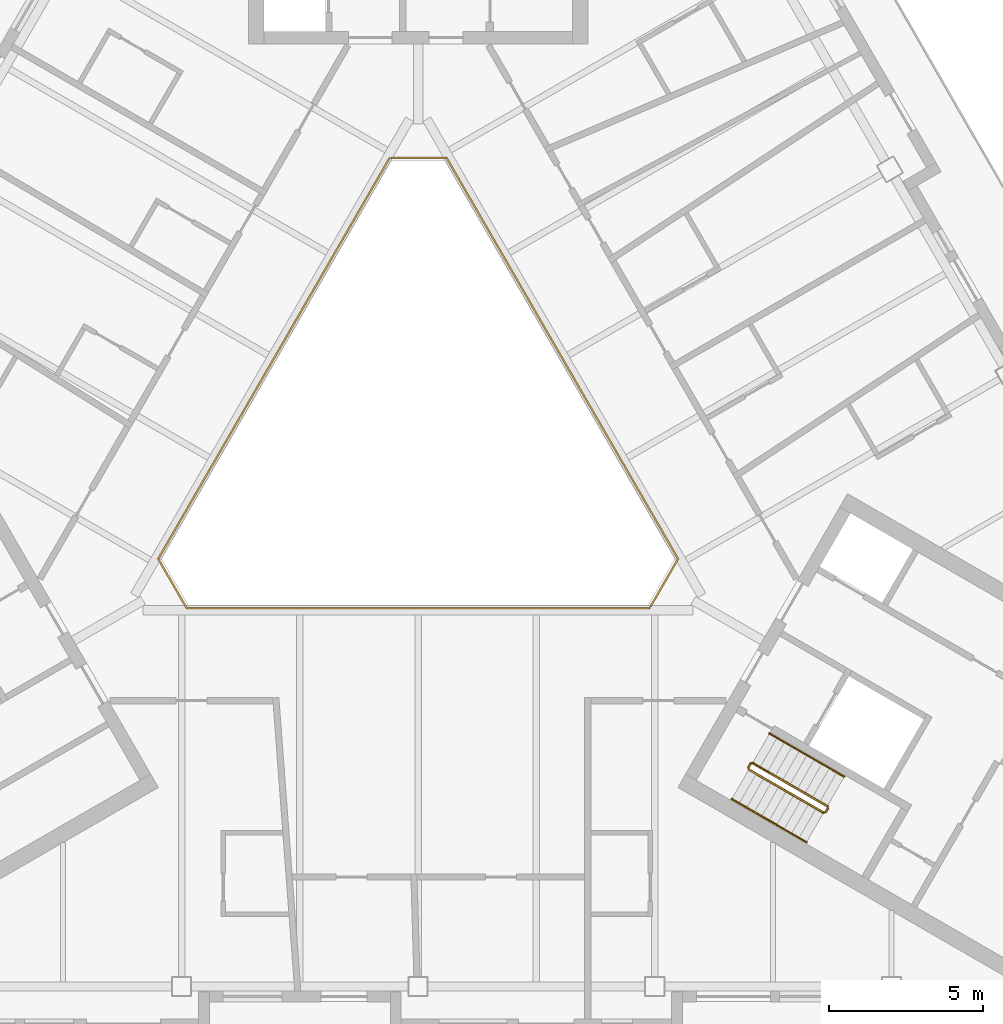
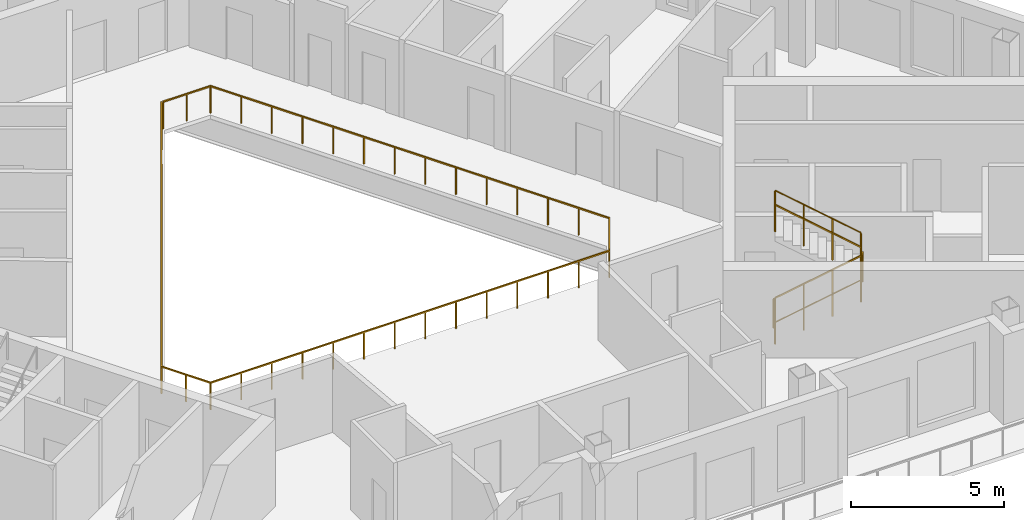
# One storey, part 12 of 14: 8 railings.
"""IFC4 building model written with IfcOpenShell, lengths in metres."""

import ifcopenshell
import ifcopenshell.guid

model = None  # the IFC model being written
_history = None  # IfcOwnerHistory: only IFC2X3 demands one
_inside = {}  # id of a spatial element -> (the spatial element, [elements in it])
_under = {}  # id of a project, library or spatial element -> (it, [spatial elements below it])
_declared = {}  # id of a project -> (the project, [libraries it declares])
_typed = {}  # id of a type object -> (the type object, [elements of that type])
_made_of = {}  # id of a material, layer set ... -> (it, [elements and type objects made of it])


def new_model(schema):
    """Start an empty IFC model of exactly this schema.

    Asked for "IFC4X3", IfcOpenShell would pick the latest addendum, in which some entities
    have other attributes; the version numbers below select the first issue.
    IFC2X3 requires an IfcOwnerHistory on every rooted entity: one is made here for all.
    """
    global model, _history
    if schema == "IFC4X3":
        model = ifcopenshell.file(schema_version=(4, 3, 0, 0))
    else:
        model = ifcopenshell.file(schema=schema)
    _inside.clear()
    _under.clear()
    _declared.clear()
    _typed.clear()
    _made_of.clear()
    _history = None
    if model.schema == "IFC2X3":
        org = make("IfcOrganization", Name="unknown")
        user = make(
            "IfcPersonAndOrganization",
            ThePerson=make("IfcPerson", FamilyName="unknown"),
            TheOrganization=org,
        )
        app = make(
            "IfcApplication",
            ApplicationDeveloper=org,
            Version="unknown",
            ApplicationFullName="unknown",
            ApplicationIdentifier="unknown",
        )
        _history = make(
            "IfcOwnerHistory",
            OwningUser=user,
            OwningApplication=app,
            ChangeAction="ADDED",
            CreationDate=0,
        )
    return model


def make(cls, **values):
    """One entity of the class cls with the attributes given. An attribute that is None is left unset."""
    return model.create_entity(
        cls, **{name: value for name, value in values.items() if value is not None}
    )


def rooted(cls, **values):
    """An entity with a GlobalId (a new one), such as an element, a storey or a relation."""
    return make(cls, GlobalId=ifcopenshell.guid.new(), OwnerHistory=_history, **values)


def si_unit(unit_type, name, prefix=None):
    """IfcSIUnit, for example si_unit("LENGTHUNIT", "METRE", prefix="MILLI")."""
    return make("IfcSIUnit", UnitType=unit_type, Prefix=prefix, Name=name)


def assignment(units):
    """IfcUnitAssignment: the units of a project."""
    return None if units is None else make("IfcUnitAssignment", Units=units)


def point(xyz):
    """IfcCartesianPoint."""
    return None if xyz is None else make("IfcCartesianPoint", Coordinates=xyz)


def direction(xyz):
    """IfcDirection."""
    return None if xyz is None else make("IfcDirection", DirectionRatios=xyz)


def frame(location, z_axis=None, x_axis=None):
    """IfcAxis2Placement3D, a coordinate frame: its origin and axes. An axis left out is left unset."""
    return make(
        "IfcAxis2Placement3D",
        Location=point(location),
        Axis=direction(z_axis),
        RefDirection=direction(x_axis),
    )


def frame_2d(location, x_axis=None):
    """IfcAxis2Placement2D, a coordinate frame in the plane: its origin and x axis."""
    return make(
        "IfcAxis2Placement2D", Location=point(location), RefDirection=direction(x_axis)
    )


def origin():
    """The frame at (0, 0, 0) with its axes left unset."""
    return frame((0.0, 0.0, 0.0))


def origin_2d():
    """The frame at (0, 0) in the plane with its x axis left unset."""
    return frame_2d((0.0, 0.0))


def place(relative_to, where):
    """IfcLocalPlacement: puts the frame where relative to a parent placement (None: the world)."""
    return make(
        "IfcLocalPlacement", PlacementRelTo=relative_to, RelativePlacement=where
    )


def context(
    kind, dimensions, precision=None, world=None, true_north=None, identifier=None
):
    """IfcGeometricRepresentationContext, for example the 3D "Model" context."""
    return make(
        "IfcGeometricRepresentationContext",
        ContextIdentifier=identifier,
        ContextType=kind,
        CoordinateSpaceDimension=dimensions,
        Precision=precision,
        WorldCoordinateSystem=world,
        TrueNorth=true_north,
    )


def subcontext(parent, identifier, kind, view, scale=None):
    """IfcGeometricRepresentationSubContext, for example "Body" below "Model"."""
    return make(
        "IfcGeometricRepresentationSubContext",
        ContextIdentifier=identifier,
        ContextType=kind,
        ParentContext=parent,
        TargetScale=scale,
        TargetView=view,
    )


def project(units=None, contexts=None):
    """IfcProject with its units and contexts."""
    return rooted(
        "IfcProject",
        Name="project",
        RepresentationContexts=contexts,
        UnitsInContext=assignment(units),
    )


def spatial(cls, under=None, at=None, **own):
    """A site, building, storey or space (cls), placed at a placement, below another one or the project."""
    s = rooted(cls, ObjectPlacement=at, **own)
    if under is not None:
        _under.setdefault(under.id(), (under, []))[1].append(s)
    return s


def profile(cls, at=None, kind="AREA", **sizes):
    """A parametric profile (cls). Its sizes go by their IFC names, for example OverallWidth=200.0."""
    return make(cls, ProfileType=kind, Position=at, **sizes)


def rectangle(**sizes):
    """IfcRectangleProfileDef."""
    return profile("IfcRectangleProfileDef", **sizes)


def circle(**sizes):
    """IfcCircleProfileDef."""
    return profile("IfcCircleProfileDef", **sizes)


def extrude(swept, where, along, depth):
    """IfcExtrudedAreaSolid: the profile swept, set in the frame where, extruded along a direction by depth."""
    return make(
        "IfcExtrudedAreaSolid",
        SweptArea=swept,
        Position=where,
        ExtrudedDirection=direction(along),
        Depth=depth,
    )


def shape(context_of_items, identifier, shape_type, items):
    """IfcShapeRepresentation: the items that make up one representation, for example the "Body"."""
    return make(
        "IfcShapeRepresentation",
        ContextOfItems=context_of_items,
        RepresentationIdentifier=identifier,
        RepresentationType=shape_type,
        Items=items,
    )


def material(Name=None, Category=None):
    """IfcMaterial."""
    return make("IfcMaterial", Name=Name, Category=Category)


def made_of(thing, what):
    """Note that an element or type object is made of a material, layer set ...; save() writes the relation."""
    if what is not None:
        _made_of.setdefault(what.id(), (what, []))[1].append(thing)
    return thing


def type_object(cls, material=None, **own):
    """A type object (cls), such as IfcWallType, which elements share."""
    return made_of(rooted(cls, **own), material)


def element(
    cls,
    number,
    at=None,
    inside=None,
    cuts=None,
    type_object=None,
    material=None,
    context=None,
    identifier="Body",
    shape_type=None,
    held_by="IfcProductDefinitionShape",
    body=None,
    shapes=None,
    **own,
):
    """One element of the class cls, such as IfcWall. Its Tag is "e" and its number.

    at: its placement. inside: the storey or other place that contains it. cuts: it is an
    opening in that element (IfcRelVoidsElement). A single representation is given by context,
    identifier, shape_type and body (its items); several are given by shapes. held_by: the class
    of the entity that holds the representations. save() writes the other relations.
    """
    e = rooted(cls, Tag="e%d" % number, ObjectPlacement=at, **own)
    if body is not None:
        shapes = [shape(context, identifier, shape_type, body)]
    if shapes is not None:
        e.Representation = make(held_by, Representations=shapes)
    if inside is not None:
        _inside.setdefault(inside.id(), (inside, []))[1].append(e)
    if cuts is not None:
        rooted(
            "IfcRelVoidsElement", RelatingBuildingElement=cuts, RelatedOpeningElement=e
        )
    if type_object is not None:
        _typed.setdefault(type_object.id(), (type_object, []))[1].append(e)
    return made_of(e, material)


def aggregate(whole, parts):
    """IfcRelAggregates: a whole, such as a stair, and the parts it consists of."""
    return rooted("IfcRelAggregates", RelatingObject=whole, RelatedObjects=parts)


def save(model, path):
    """Write the relations noted so far, then the file.

    IfcRelAggregates (storeys below a building ...), IfcRelContainedInSpatialStructure (elements
    in a storey), IfcRelDefinesByType, IfcRelAssociatesMaterial and IfcRelDeclares: one each for
    every whole, place, type object, material and project.
    """
    for whole, parts in _under.values():
        aggregate(whole, parts)
    for where, things in _inside.values():
        rooted(
            "IfcRelContainedInSpatialStructure",
            RelatedElements=things,
            RelatingStructure=where,
        )
    for kind, things in _typed.values():
        rooted("IfcRelDefinesByType", RelatedObjects=things, RelatingType=kind)
    for what, things in _made_of.values():
        rooted("IfcRelAssociatesMaterial", RelatedObjects=things, RelatingMaterial=what)
    for by, libraries in _declared.values():
        rooted("IfcRelDeclares", RelatingContext=by, RelatedDefinitions=libraries)
    model.write(path)


model = new_model("IFC4")

# Units and contexts
model_context = context("Model", 3, precision=1e-05, world=origin(), true_north=direction((0.0, 1.0)))
body_context = subcontext(model_context, "Body", "Model", "MODEL_VIEW")
ifc_project = project(units=[si_unit("LENGTHUNIT", "METRE"), si_unit("AREAUNIT", "SQUARE_METRE"), si_unit("VOLUMEUNIT", "CUBIC_METRE"), si_unit("PLANEANGLEUNIT", "RADIAN"), si_unit("MASSUNIT", "GRAM", prefix="KILO")], contexts=[model_context])

# Site, building, storey
site_placement = place(None, origin())
site = spatial("IfcSite", under=ifc_project, at=site_placement, CompositionType="ELEMENT")
building_placement = place(site_placement, origin())
building = spatial("IfcBuilding", under=site, at=building_placement, Name="Apuvela Tower Hotel", CompositionType="ELEMENT")
storey_placement = place(building_placement, frame((0.0, 0.0, 261.5)))
storey = spatial("IfcBuildingStorey", under=building, at=storey_placement, Name="L64", CompositionType="ELEMENT", Elevation=261.5)

# Railings
ifc_material_1 = material(Name="Steel S275 balustrade", Category="steel")
railing_type_1 = type_object("IfcRailingType", Name="COR-GUARD-1100", PredefinedType="GUARDRAIL", material=ifc_material_1)
railing_1_placement = place(storey_placement, frame((10.718994140625, -10.63427734375, 0.168212890625)))
element("IfcRailing", 1, at=railing_1_placement, inside=storey, type_object=railing_type_1, Name="L64 ST3 stair guard 1", PredefinedType="GUARDRAIL", context=body_context, shape_type="SweptSolid", body=[
    extrude(rectangle(XDim=0.048095703125, YDim=0.048095703125, at=origin_2d()), frame((0.0, 0.0, 1.076171875), z_axis=(0.742390482028, -0.42860119049, 0.514934356695), x_axis=(0.49998411664, 0.866034573852, 0.0)), (0.0, 0.0, 1.0), 3.26611328125),
    extrude(rectangle(XDim=0.0419921875, YDim=0.0419921875, at=origin_2d()), origin(), (0.0, 0.0, 1.0), 1.052001953125),
    extrude(rectangle(XDim=0.0419921875, YDim=0.0419921875, at=origin_2d()), frame((0.808349609375, -0.466552734375, 0.560546875)), (0.0, 0.0, 1.0), 1.052001953125),
    extrude(rectangle(XDim=0.0419921875, YDim=0.0419921875, at=origin_2d()), frame((1.616455078125, -0.933349609375, 1.121337890625)), (0.0, 0.0, 1.0), 1.052001953125),
    extrude(rectangle(XDim=0.0419921875, YDim=0.0419921875, at=origin_2d()), frame((2.4248046875, -1.39990234375, 1.681884765625)), (0.0, 0.0, 1.0), 1.052001953125),
])
railing_2_placement = place(storey_placement, frame((13.212158203125, -12.015869140625, 1.85009765625)))
element("IfcRailing", 2, at=railing_2_placement, inside=storey, type_object=railing_type_1, Name="L64 ST3 stair guard 2", PredefinedType="GUARDRAIL", context=body_context, shape_type="SweptSolid", body=[
    extrude(rectangle(XDim=0.048095703125, YDim=0.048095703125, at=origin_2d()), frame((0.0, 0.0, 1.076171875), z_axis=(0.499816412211, 0.866131372301, 0.0), x_axis=(-0.866131372301, 0.499816412211, 0.0)), (0.0, 0.0, 1.0), 0.14990234375),
    extrude(rectangle(XDim=0.0419921875, YDim=0.0419921875, at=origin_2d()), origin(), (0.0, 0.0, 1.0), 1.052001953125),
    extrude(rectangle(XDim=0.0419921875, YDim=0.0419921875, at=origin_2d()), frame((0.074951171875, 0.1298828125, 0.0)), (0.0, 0.0, 1.0), 1.052001953125),
])
railing_3_placement = place(storey_placement, frame((13.268798828125, -11.817626953125, 2.01806640625)))
element("IfcRailing", 3, at=railing_3_placement, inside=storey, type_object=railing_type_1, Name="L64 ST3 stair guard 3", PredefinedType="GUARDRAIL", context=body_context, shape_type="SweptSolid", body=[
    extrude(rectangle(XDim=0.048095703125, YDim=0.048095703125, at=origin_2d()), frame((0.0, 0.0, 1.076171875), z_axis=(-0.742390482028, 0.42860119049, 0.514934356695), x_axis=(-0.49998411664, -0.866034573852, 0.0)), (0.0, 0.0, 1.0), 3.26611328125),
    extrude(rectangle(XDim=0.0419921875, YDim=0.0419921875, at=origin_2d()), origin(), (0.0, 0.0, 1.0), 1.052001953125),
    extrude(rectangle(XDim=0.0419921875, YDim=0.0419921875, at=origin_2d()), frame((-0.808349609375, 0.466552734375, 0.560546875)), (0.0, 0.0, 1.0), 1.052001953125),
    extrude(rectangle(XDim=0.0419921875, YDim=0.0419921875, at=origin_2d()), frame((-1.616455078125, 0.933349609375, 1.121337890625)), (0.0, 0.0, 1.0), 1.052001953125),
    extrude(rectangle(XDim=0.0419921875, YDim=0.0419921875, at=origin_2d()), frame((-2.4248046875, 1.39990234375, 1.681884765625)), (0.0, 0.0, 1.0), 1.052001953125),
])
railing_4_placement = place(storey_placement, frame((10.70068359375, -10.56591796875, 0.0)))
element("IfcRailing", 4, at=railing_4_placement, inside=storey, type_object=railing_type_1, Name="L64 ST3 stair guard 4", PredefinedType="GUARDRAIL", context=body_context, shape_type="SweptSolid", body=[
    extrude(rectangle(XDim=0.048095703125, YDim=0.048095703125, at=origin_2d()), frame((0.0, 0.0, 1.076171875), z_axis=(0.499816412211, 0.866131372301, 0.0), x_axis=(-0.866131372301, 0.499816412211, 0.0)), (0.0, 0.0, 1.0), 0.14990234375),
    extrude(rectangle(XDim=0.0419921875, YDim=0.0419921875, at=origin_2d()), origin(), (0.0, 0.0, 1.0), 1.052001953125),
    extrude(rectangle(XDim=0.0419921875, YDim=0.0419921875, at=origin_2d()), frame((0.074951171875, 0.1298828125, 0.0)), (0.0, 0.0, 1.0), 1.052001953125),
])
ifc_material_2 = material(Name="Stainless steel 316 handrail", Category="steel")
railing_type_2 = type_object("IfcRailingType", Name="COR-HANDRAIL-900", PredefinedType="HANDRAIL", material=ifc_material_2)
railing_5_placement = place(storey_placement, frame((10.1689453125, -11.5869140625, 0.168212890625)))
element("IfcRailing", 5, at=railing_5_placement, inside=storey, type_object=railing_type_2, Name="L64 ST3 stair handrail 1", PredefinedType="HANDRAIL", context=body_context, shape_type="SweptSolid", body=[
    extrude(circle(Radius=0.02392578125, at=origin_2d()), frame((0.0, 0.0, 0.8759765625), z_axis=(0.742390482028, -0.42860119049, 0.514934356695), x_axis=(0.49998411664, 0.866034573852, 0.0)), (0.0, 0.0, 1.0), 3.26611328125),
    extrude(rectangle(XDim=0.0419921875, YDim=0.0419921875, at=origin_2d()), origin(), (0.0, 0.0, 1.0), 0.851806640625),
    extrude(rectangle(XDim=0.0419921875, YDim=0.0419921875, at=origin_2d()), frame((0.808349609375, -0.466552734375, 0.560546875)), (0.0, 0.0, 1.0), 0.851806640625),
    extrude(rectangle(XDim=0.0419921875, YDim=0.0419921875, at=origin_2d()), frame((1.616455078125, -0.933349609375, 1.121337890625)), (0.0, 0.0, 1.0), 0.851806640625),
    extrude(rectangle(XDim=0.0419921875, YDim=0.0419921875, at=origin_2d()), frame((2.4248046875, -1.39990234375, 1.681884765625)), (0.0, 0.0, 1.0), 0.851806640625),
])
railing_6_placement = place(storey_placement, frame((13.81884765625, -10.864990234375, 2.01806640625)))
element("IfcRailing", 6, at=railing_6_placement, inside=storey, type_object=railing_type_2, Name="L64 ST3 stair handrail 2", PredefinedType="HANDRAIL", context=body_context, shape_type="SweptSolid", body=[
    extrude(circle(Radius=0.02392578125, at=origin_2d()), frame((0.0, 0.0, 0.8759765625), z_axis=(-0.742390482028, 0.42860119049, 0.514934356695), x_axis=(-0.49998411664, -0.866034573852, 0.0)), (0.0, 0.0, 1.0), 3.26611328125),
    extrude(rectangle(XDim=0.0419921875, YDim=0.0419921875, at=origin_2d()), origin(), (0.0, 0.0, 1.0), 0.851806640625),
    extrude(rectangle(XDim=0.0419921875, YDim=0.0419921875, at=origin_2d()), frame((-0.808349609375, 0.466552734375, 0.560546875)), (0.0, 0.0, 1.0), 0.851806640625),
    extrude(rectangle(XDim=0.0419921875, YDim=0.0419921875, at=origin_2d()), frame((-1.616455078125, 0.933349609375, 1.121337890625)), (0.0, 0.0, 1.0), 0.851806640625),
    extrude(rectangle(XDim=0.0419921875, YDim=0.0419921875, at=origin_2d()), frame((-2.4248046875, 1.39990234375, 1.681884765625)), (0.0, 0.0, 1.0), 0.851806640625),
])
ifc_material_3 = material(Name="Stainless steel 316 rail with laminated glass infill", Category="steel")
railing_type_3 = type_object("IfcRailingType", Name="ENV-GUARD-1100", PredefinedType="GUARDRAIL", material=ifc_material_3)
railing_7_placement = place(storey_placement, frame((-0.923828125, 9.199951171875, 0.0)))
element("IfcRailing", 7, at=railing_7_placement, inside=storey, type_object=railing_type_3, Name="Atrium void guard A L64", PredefinedType="GUARDRAIL", context=body_context, shape_type="SweptSolid", body=[
    extrude(rectangle(XDim=0.050048828125, YDim=0.050048828125, at=origin_2d()), frame((0.0, 0.0, 1.0751953125), z_axis=(-0.499990886379, -0.866030665472, 0.0), x_axis=(0.866030665472, -0.499990886379, 0.0)), (0.0, 0.0, 1.0), 15.010986328125),
    extrude(rectangle(XDim=0.050048828125, YDim=0.050048828125, at=origin_2d()), frame((-7.50537109375, -13.0, 1.0751953125), z_axis=(0.499962699187, -0.866046938348, 0.0), x_axis=(0.866046938348, 0.499962699187, 0.0)), (0.0, 0.0, 1.0), 1.847412109375),
    extrude(rectangle(XDim=0.050048828125, YDim=0.050048828125, at=origin_2d()), frame((-6.581787109375, -14.599853515625, 1.0751953125), z_axis=(1.0, 0.0, 0.0), x_axis=(0.0, 1.0, 0.0)), (0.0, 0.0, 1.0), 15.01123046875),
    extrude(rectangle(XDim=0.0400390625, YDim=0.0400390625, at=origin_2d()), origin(), (0.0, 0.0, 1.0), 1.050048828125),
    extrude(rectangle(XDim=0.0400390625, YDim=0.0400390625, at=origin_2d()), frame((-0.577392578125, -1.0, 0.0)), (0.0, 0.0, 1.0), 1.050048828125),
    extrude(rectangle(XDim=0.0400390625, YDim=0.0400390625, at=origin_2d()), frame((-1.15478515625, -2.0, 0.0)), (0.0, 0.0, 1.0), 1.050048828125),
    extrude(rectangle(XDim=0.0400390625, YDim=0.0400390625, at=origin_2d()), frame((-1.73193359375, -3.0, 0.0)), (0.0, 0.0, 1.0), 1.050048828125),
    extrude(rectangle(XDim=0.0400390625, YDim=0.0400390625, at=origin_2d()), frame((-2.309326171875, -4.0, 0.0)), (0.0, 0.0, 1.0), 1.050048828125),
    extrude(rectangle(XDim=0.0400390625, YDim=0.0400390625, at=origin_2d()), frame((-2.88671875, -5.0, 0.0)), (0.0, 0.0, 1.0), 1.050048828125),
    extrude(rectangle(XDim=0.0400390625, YDim=0.0400390625, at=origin_2d()), frame((-3.464111328125, -6.0, 0.0)), (0.0, 0.0, 1.0), 1.050048828125),
    extrude(rectangle(XDim=0.0400390625, YDim=0.0400390625, at=origin_2d()), frame((-4.041259765625, -7.0, 0.0)), (0.0, 0.0, 1.0), 1.050048828125),
    extrude(rectangle(XDim=0.0400390625, YDim=0.0400390625, at=origin_2d()), frame((-4.61865234375, -8.0, 0.0)), (0.0, 0.0, 1.0), 1.050048828125),
    extrude(rectangle(XDim=0.0400390625, YDim=0.0400390625, at=origin_2d()), frame((-5.196044921875, -9.0, 0.0)), (0.0, 0.0, 1.0), 1.050048828125),
    extrude(rectangle(XDim=0.0400390625, YDim=0.0400390625, at=origin_2d()), frame((-5.7734375, -10.0, 0.0)), (0.0, 0.0, 1.0), 1.050048828125),
    extrude(rectangle(XDim=0.0400390625, YDim=0.0400390625, at=origin_2d()), frame((-6.3505859375, -11.0, 0.0)), (0.0, 0.0, 1.0), 1.050048828125),
    extrude(rectangle(XDim=0.0400390625, YDim=0.0400390625, at=origin_2d()), frame((-6.927978515625, -12.0, 0.0)), (0.0, 0.0, 1.0), 1.050048828125),
    extrude(rectangle(XDim=0.0400390625, YDim=0.0400390625, at=origin_2d()), frame((-7.50537109375, -13.0, 0.0)), (0.0, 0.0, 1.0), 1.050048828125),
    extrude(rectangle(XDim=0.0400390625, YDim=0.0400390625, at=origin_2d()), frame((-7.04345703125, -13.7998046875, 0.0)), (0.0, 0.0, 1.0), 1.050048828125),
    extrude(rectangle(XDim=0.0400390625, YDim=0.0400390625, at=origin_2d()), frame((-6.581787109375, -14.599853515625, 0.0)), (0.0, 0.0, 1.0), 1.050048828125),
    extrude(rectangle(XDim=0.0400390625, YDim=0.0400390625, at=origin_2d()), frame((-5.427001953125, -14.599853515625, 0.0)), (0.0, 0.0, 1.0), 1.050048828125),
    extrude(rectangle(XDim=0.0400390625, YDim=0.0400390625, at=origin_2d()), frame((-4.2724609375, -14.599853515625, 0.0)), (0.0, 0.0, 1.0), 1.050048828125),
    extrude(rectangle(XDim=0.0400390625, YDim=0.0400390625, at=origin_2d()), frame((-3.11767578125, -14.599853515625, 0.0)), (0.0, 0.0, 1.0), 1.050048828125),
    extrude(rectangle(XDim=0.0400390625, YDim=0.0400390625, at=origin_2d()), frame((-1.962890625, -14.599853515625, 0.0)), (0.0, 0.0, 1.0), 1.050048828125),
    extrude(rectangle(XDim=0.0400390625, YDim=0.0400390625, at=origin_2d()), frame((-0.808349609375, -14.599853515625, 0.0)), (0.0, 0.0, 1.0), 1.050048828125),
    extrude(rectangle(XDim=0.0400390625, YDim=0.0400390625, at=origin_2d()), frame((0.346435546875, -14.599853515625, 0.0)), (0.0, 0.0, 1.0), 1.050048828125),
    extrude(rectangle(XDim=0.0400390625, YDim=0.0400390625, at=origin_2d()), frame((1.501220703125, -14.599853515625, 0.0)), (0.0, 0.0, 1.0), 1.050048828125),
    extrude(rectangle(XDim=0.0400390625, YDim=0.0400390625, at=origin_2d()), frame((2.656005859375, -14.599853515625, 0.0)), (0.0, 0.0, 1.0), 1.050048828125),
    extrude(rectangle(XDim=0.0400390625, YDim=0.0400390625, at=origin_2d()), frame((3.810546875, -14.599853515625, 0.0)), (0.0, 0.0, 1.0), 1.050048828125),
    extrude(rectangle(XDim=0.0400390625, YDim=0.0400390625, at=origin_2d()), frame((4.96533203125, -14.599853515625, 0.0)), (0.0, 0.0, 1.0), 1.050048828125),
    extrude(rectangle(XDim=0.0400390625, YDim=0.0400390625, at=origin_2d()), frame((6.1201171875, -14.599853515625, 0.0)), (0.0, 0.0, 1.0), 1.050048828125),
    extrude(rectangle(XDim=0.0400390625, YDim=0.0400390625, at=origin_2d()), frame((7.274658203125, -14.599853515625, 0.0)), (0.0, 0.0, 1.0), 1.050048828125),
    extrude(rectangle(XDim=0.0400390625, YDim=0.0400390625, at=origin_2d()), frame((8.429443359375, -14.599853515625, 0.0)), (0.0, 0.0, 1.0), 1.050048828125),
])
railing_8_placement = place(storey_placement, frame((7.53564453125, -5.347900390625, 0.0)))
element("IfcRailing", 8, at=railing_8_placement, inside=storey, type_object=railing_type_3, Name="Atrium void guard B L64", PredefinedType="GUARDRAIL", context=body_context, shape_type="SweptSolid", body=[
    extrude(rectangle(XDim=0.050048828125, YDim=0.050048828125, at=origin_2d()), frame((0.0, 0.0, 1.0751953125), z_axis=(0.499958946799, 0.866049104564, 0.0), x_axis=(-0.866049104564, 0.499958946799, 0.0)), (0.0, 0.0, 1.0), 1.787353515625),
    extrude(rectangle(XDim=0.050048828125, YDim=0.050048828125, at=origin_2d()), frame((0.8935546875, 1.5478515625, 1.0751953125), z_axis=(-0.499990886379, 0.866030665472, 0.0), x_axis=(-0.866030665472, -0.499990886379, 0.0)), (0.0, 0.0, 1.0), 15.010986328125),
    extrude(rectangle(XDim=0.050048828125, YDim=0.050048828125, at=origin_2d()), frame((-6.61181640625, 14.5478515625, 1.0751953125), z_axis=(-1.0, 0.0, 0.0), x_axis=(0.0, -1.0, 0.0)), (0.0, 0.0, 1.0), 1.78759765625),
    extrude(rectangle(XDim=0.0400390625, YDim=0.0400390625, at=origin_2d()), origin(), (0.0, 0.0, 1.0), 1.050048828125),
    extrude(rectangle(XDim=0.0400390625, YDim=0.0400390625, at=origin_2d()), frame((0.44677734375, 0.77392578125, 0.0)), (0.0, 0.0, 1.0), 1.050048828125),
    extrude(rectangle(XDim=0.0400390625, YDim=0.0400390625, at=origin_2d()), frame((0.8935546875, 1.5478515625, 0.0)), (0.0, 0.0, 1.0), 1.050048828125),
    extrude(rectangle(XDim=0.0400390625, YDim=0.0400390625, at=origin_2d()), frame((0.316162109375, 2.5478515625, 0.0)), (0.0, 0.0, 1.0), 1.050048828125),
    extrude(rectangle(XDim=0.0400390625, YDim=0.0400390625, at=origin_2d()), frame((-0.26123046875, 3.5478515625, 0.0)), (0.0, 0.0, 1.0), 1.050048828125),
    extrude(rectangle(XDim=0.0400390625, YDim=0.0400390625, at=origin_2d()), frame((-0.83837890625, 4.5478515625, 0.0)), (0.0, 0.0, 1.0), 1.050048828125),
    extrude(rectangle(XDim=0.0400390625, YDim=0.0400390625, at=origin_2d()), frame((-1.415771484375, 5.5478515625, 0.0)), (0.0, 0.0, 1.0), 1.050048828125),
    extrude(rectangle(XDim=0.0400390625, YDim=0.0400390625, at=origin_2d()), frame((-1.9931640625, 6.5478515625, 0.0)), (0.0, 0.0, 1.0), 1.050048828125),
    extrude(rectangle(XDim=0.0400390625, YDim=0.0400390625, at=origin_2d()), frame((-2.570556640625, 7.5478515625, 0.0)), (0.0, 0.0, 1.0), 1.050048828125),
    extrude(rectangle(XDim=0.0400390625, YDim=0.0400390625, at=origin_2d()), frame((-3.147705078125, 8.5478515625, 0.0)), (0.0, 0.0, 1.0), 1.050048828125),
    extrude(rectangle(XDim=0.0400390625, YDim=0.0400390625, at=origin_2d()), frame((-3.72509765625, 9.5478515625, 0.0)), (0.0, 0.0, 1.0), 1.050048828125),
    extrude(rectangle(XDim=0.0400390625, YDim=0.0400390625, at=origin_2d()), frame((-4.302490234375, 10.5478515625, 0.0)), (0.0, 0.0, 1.0), 1.050048828125),
    extrude(rectangle(XDim=0.0400390625, YDim=0.0400390625, at=origin_2d()), frame((-4.8798828125, 11.5478515625, 0.0)), (0.0, 0.0, 1.0), 1.050048828125),
    extrude(rectangle(XDim=0.0400390625, YDim=0.0400390625, at=origin_2d()), frame((-5.45703125, 12.5478515625, 0.0)), (0.0, 0.0, 1.0), 1.050048828125),
    extrude(rectangle(XDim=0.0400390625, YDim=0.0400390625, at=origin_2d()), frame((-6.034423828125, 13.5478515625, 0.0)), (0.0, 0.0, 1.0), 1.050048828125),
    extrude(rectangle(XDim=0.0400390625, YDim=0.0400390625, at=origin_2d()), frame((-6.61181640625, 14.5478515625, 0.0)), (0.0, 0.0, 1.0), 1.050048828125),
    extrude(rectangle(XDim=0.0400390625, YDim=0.0400390625, at=origin_2d()), frame((-7.505615234375, 14.5478515625, 0.0)), (0.0, 0.0, 1.0), 1.050048828125),
    extrude(rectangle(XDim=0.0400390625, YDim=0.0400390625, at=origin_2d()), frame((-8.3994140625, 14.5478515625, 0.0)), (0.0, 0.0, 1.0), 1.050048828125),
])

save(model, "model.ifc")
